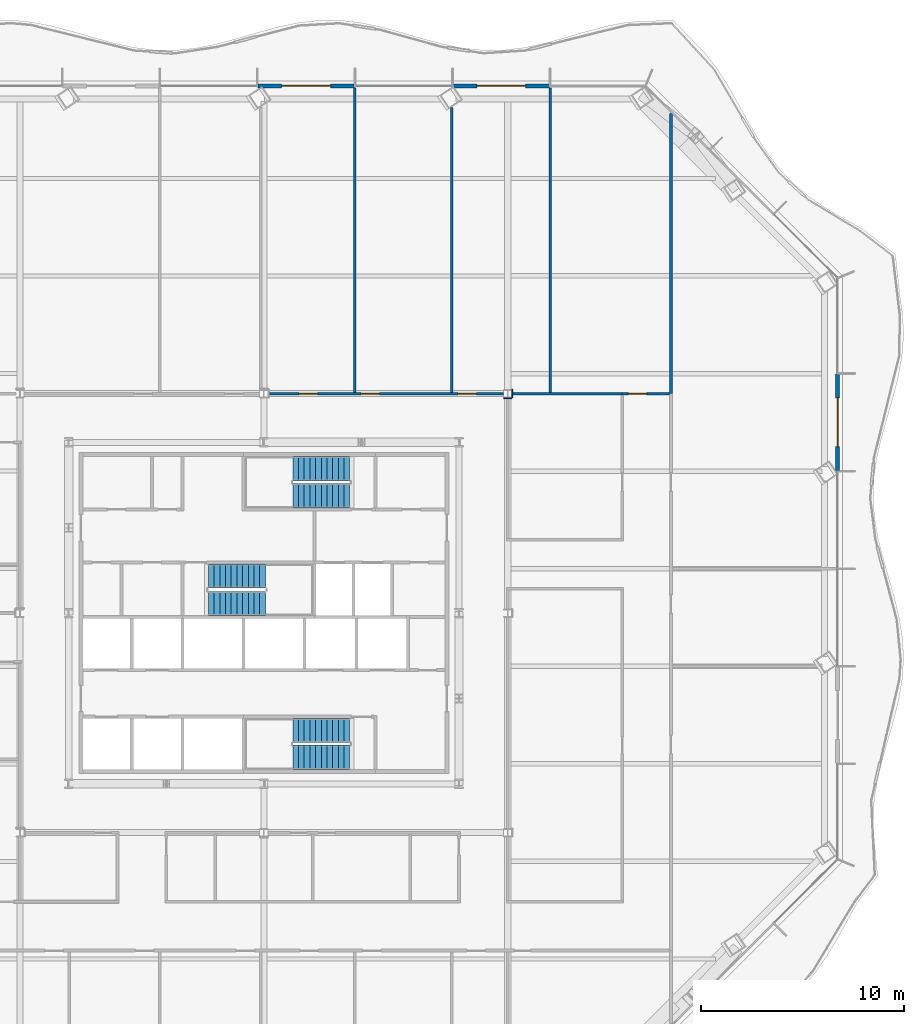
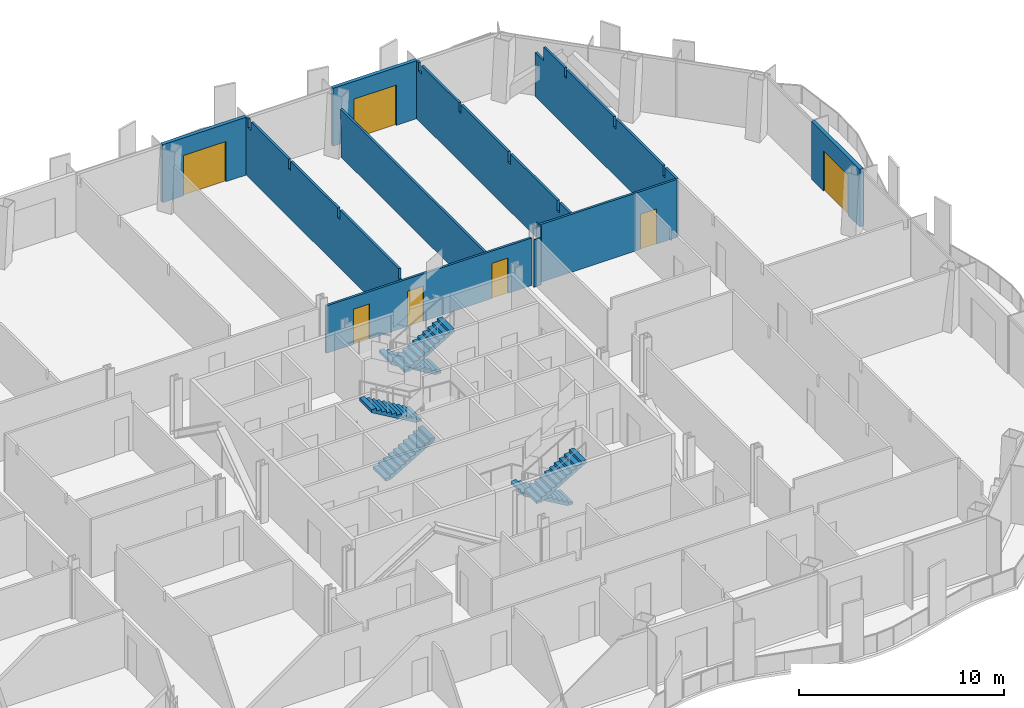
# One storey, part 13 of 22: 12 walls, 7 doors, 6 stair flights, 7 openings, 3 elements without a shape of their own.
"""IFC4 building model written with IfcOpenShell, lengths in metres."""

from ifc_helpers import new_model, si_unit, direction, frame, frame_2d, origin, place, context, subcontext, project, spatial, polyline, rectangle, outline, extrude, material, layer, layer_set, type_object, element, fill, aggregate, save


model = new_model("IFC4")

# Units and contexts
model_context = context("Model", 3, precision=1e-05, world=origin(), true_north=direction((0.0, 1.0)))
body_context = subcontext(model_context, "Body", "Model", "MODEL_VIEW")
ifc_project = project(units=[si_unit("LENGTHUNIT", "METRE"), si_unit("AREAUNIT", "SQUARE_METRE"), si_unit("VOLUMEUNIT", "CUBIC_METRE"), si_unit("PLANEANGLEUNIT", "RADIAN"), si_unit("MASSUNIT", "GRAM", prefix="KILO")], contexts=[model_context])

# Site, building, storey
site_placement = place(None, origin())
site = spatial("IfcSite", under=ifc_project, at=site_placement, CompositionType="ELEMENT")
building_placement = place(site_placement, origin())
building = spatial("IfcBuilding", under=site, at=building_placement, Name="Cairn Pilgrim Tower", CompositionType="ELEMENT")
storey_placement = place(building_placement, frame((0.0, 0.0, 112.199951171875)))
storey = spatial("IfcBuildingStorey", under=building, at=storey_placement, Name="L27", CompositionType="ELEMENT", Elevation=112.199951171875)

# Wall, opening, door
ifc_material_1 = material(Name="Bronze anodised aluminium insulated sandwich panel with mineral wool fill", Category="aluminium")
ifc_layer_1 = layer(ifc_material_1, 0.199951171875)
ifc_layer_set_1 = layer_set([ifc_layer_1], Name="BRONZE INFILL FRAME WALL 200")
wall_type_1 = type_object("IfcWallType", Name="BRONZE INFILL FRAME WALL 200", PredefinedType="NOTDEFINED", material=ifc_layer_set_1)
wall_1_placement = place(storey_placement, frame((35.429443359375, 9.416259765625, 0.0), z_axis=(0.0, 0.0, 1.0), x_axis=(0.0, 1.0, 0.0)))
wall_1 = element("IfcWall", 1, at=wall_1_placement, inside=storey, type_object=wall_type_1, Name="Bronze infill frame wall IW-E5", PredefinedType="NOTDEFINED", context=body_context, shape_type="SweptSolid", body=[
    extrude(rectangle(XDim=4.739990234375, YDim=0.199951171875, at=frame_2d((2.3701171875, 0.0))), origin(), (0.0, 0.0, 1.0), 3.449951171875),
])
opening_1_placement = place(wall_1_placement, frame((1.169677734375, 0.0, 0.0)))
opening_1 = element("IfcOpeningElement", 2, at=opening_1_placement, cuts=wall_1, Name="Opening 2726B", PredefinedType="OPENING", context=body_context, shape_type="SweptSolid", body=[
    extrude(rectangle(XDim=2.39990234375, YDim=2.39990234375, at=frame_2d((1.199951171875, 1.199951171875))), frame((0.0, 0.10986328125, 0.0), z_axis=(0.0, -1.0, 0.0), x_axis=(1.0, 0.0, 0.0)), (0.0, 0.0, 1.0), 0.219970703125),
])
ifc_material_2 = material(Name="Bronze anodised aluminium frame with tinted low-E glass", Category="aluminium")
door_type_1 = type_object("IfcDoorType", Name="BALCONY SLIDING DOOR 2400x2400", OperationType="DOUBLE_DOOR_SLIDING", PredefinedType="DOOR", material=ifc_material_2)
door_1_placement = place(opening_1_placement, origin())
door_1 = element("IfcDoor", 3, at=door_1_placement, inside=storey, type_object=door_type_1, Name="Balcony sliding door 2726B", OperationType="SINGLE_SWING_LEFT", OverallHeight=2.39990234375, OverallWidth=2.39990234375, PredefinedType="DOOR", context=body_context, shape_type="SweptSolid", body=[
    extrude(rectangle(XDim=2.39990234375, YDim=2.39990234375, at=frame_2d((1.199951171875, 1.199951171875))), frame((0.0, 0.02490234375, 0.0), z_axis=(0.0, -1.0, 0.0), x_axis=(1.0, 0.0, 0.0)), (0.0, 0.0, 1.0), 0.050048828125),
])
fill(opening_1, door_1)

wall_2_placement = place(storey_placement, frame((21.24951171875, 28.33642578125, 0.0), z_axis=(0.0, 0.0, 1.0), x_axis=(-1.0, 0.0, 0.0)))
wall_2 = element("IfcWall", 4, at=wall_2_placement, inside=storey, type_object=wall_type_1, Name="Bronze infill frame wall IW-N2", PredefinedType="NOTDEFINED", context=body_context, shape_type="SweptSolid", body=[
    extrude(rectangle(XDim=4.739990234375, YDim=0.199951171875, at=frame_2d((2.3701171875, 0.0))), origin(), (0.0, 0.0, 1.0), 3.449951171875),
])
opening_2_placement = place(wall_2_placement, frame((1.16943359375, 0.0, 0.0)))
opening_2 = element("IfcOpeningElement", 5, at=opening_2_placement, cuts=wall_2, Name="Opening 2722B", PredefinedType="OPENING", context=body_context, shape_type="SweptSolid", body=[
    extrude(rectangle(XDim=2.39990234375, YDim=2.39990234375, at=frame_2d((1.199951171875, 1.199951171875))), frame((0.0, 0.10986328125, 0.0), z_axis=(0.0, -1.0, 0.0), x_axis=(1.0, 0.0, 0.0)), (0.0, 0.0, 1.0), 0.219970703125),
])
door_2_placement = place(opening_2_placement, origin())
door_2 = element("IfcDoor", 6, at=door_2_placement, inside=storey, type_object=door_type_1, Name="Balcony sliding door 2722B", OperationType="SINGLE_SWING_LEFT", OverallHeight=2.39990234375, OverallWidth=2.39990234375, PredefinedType="DOOR", context=body_context, shape_type="SweptSolid", body=[
    extrude(rectangle(XDim=2.39990234375, YDim=2.39990234375, at=frame_2d((1.199951171875, 1.199951171875))), frame((0.0, 0.02490234375, 0.0), z_axis=(0.0, -1.0, 0.0), x_axis=(1.0, 0.0, 0.0)), (0.0, 0.0, 1.0), 0.050048828125),
])
fill(opening_2, door_2)

wall_3_placement = place(storey_placement, frame((11.6494140625, 28.33642578125, 0.0), z_axis=(0.0, 0.0, 1.0), x_axis=(-1.0, 0.0, 0.0)))
wall_3 = element("IfcWall", 7, at=wall_3_placement, inside=storey, type_object=wall_type_1, Name="Bronze infill frame wall IW-N4", PredefinedType="NOTDEFINED", context=body_context, shape_type="SweptSolid", body=[
    extrude(rectangle(XDim=4.739990234375, YDim=0.199951171875, at=frame_2d((2.3701171875, 0.0))), origin(), (0.0, 0.0, 1.0), 3.449951171875),
])
opening_3_placement = place(wall_3_placement, frame((1.16943359375, 0.0, 0.0)))
opening_3 = element("IfcOpeningElement", 8, at=opening_3_placement, cuts=wall_3, Name="Opening 2720B", PredefinedType="OPENING", context=body_context, shape_type="SweptSolid", body=[
    extrude(rectangle(XDim=2.39990234375, YDim=2.39990234375, at=frame_2d((1.199951171875, 1.199951171875))), frame((0.0, 0.10986328125, 0.0), z_axis=(0.0, -1.0, 0.0), x_axis=(1.0, 0.0, 0.0)), (0.0, 0.0, 1.0), 0.219970703125),
])
door_3_placement = place(opening_3_placement, origin())
door_3 = element("IfcDoor", 9, at=door_3_placement, inside=storey, type_object=door_type_1, Name="Balcony sliding door 2720B", OperationType="SINGLE_SWING_LEFT", OverallHeight=2.39990234375, OverallWidth=2.39990234375, PredefinedType="DOOR", context=body_context, shape_type="SweptSolid", body=[
    extrude(rectangle(XDim=2.39990234375, YDim=2.39990234375, at=frame_2d((1.199951171875, 1.199951171875))), frame((0.0, 0.02490234375, 0.0), z_axis=(0.0, -1.0, 0.0), x_axis=(1.0, 0.0, 0.0)), (0.0, 0.0, 1.0), 0.050048828125),
])
fill(opening_3, door_3)

# Wall, openings, doors
ifc_material_3 = material(Name="Gypsum partition")
ifc_layer_2 = layer(ifc_material_3, 0.125)
ifc_layer_set_2 = layer_set([ifc_layer_2], Name="PARTITION 125 DRYWALL EI 60")
wall_type_2 = type_object("IfcWallType", Name="PARTITION 125 DRYWALL EI 60", PredefinedType="PARTITIONING", material=ifc_layer_set_2)
wall_4_placement = place(storey_placement, frame((7.404541015625, 13.199951171875, 0.0), z_axis=(0.0, 0.0, 1.0), x_axis=(1.0, 0.0, 0.0)))
wall_4 = element("IfcWall", 10, at=wall_4_placement, inside=storey, type_object=wall_type_2, Name="PARTITION W061", PredefinedType="PARTITIONING", context=body_context, shape_type="SweptSolid", body=[
    extrude(rectangle(XDim=11.591064453125, YDim=0.125, at=frame_2d((5.79541015625, 0.0))), origin(), (0.0, 0.0, 1.0), 2.830078125),
])
opening_4_placement = place(wall_4_placement, frame((1.535400390625, 0.0, 0.0)))
opening_4 = element("IfcOpeningElement", 11, at=opening_4_placement, cuts=wall_4, Name="Opening 2720", PredefinedType="OPENING", context=body_context, shape_type="SweptSolid", body=[
    extrude(rectangle(XDim=0.89990234375, YDim=2.10009765625, at=frame_2d((0.449951171875, 1.050048828125))), frame((0.0, 0.072509765625, 0.0), z_axis=(0.0, -1.0, 0.0), x_axis=(1.0, 0.0, 0.0)), (0.0, 0.0, 1.0), 0.14501953125),
])
opening_5_placement = place(wall_4_placement, frame((4.575439453125, 0.0, 0.0)))
opening_5 = element("IfcOpeningElement", 12, at=opening_5_placement, cuts=wall_4, Name="Opening 2721", PredefinedType="OPENING", context=body_context, shape_type="SweptSolid", body=[
    extrude(rectangle(XDim=0.89990234375, YDim=2.10009765625, at=frame_2d((0.449951171875, 1.050048828125))), frame((0.0, 0.072509765625, 0.0), z_axis=(0.0, -1.0, 0.0), x_axis=(1.0, 0.0, 0.0)), (0.0, 0.0, 1.0), 0.14501953125),
])
opening_6_placement = place(wall_4_placement, frame((9.348388671875, 0.0, 0.0)))
opening_6 = element("IfcOpeningElement", 13, at=opening_6_placement, cuts=wall_4, Name="Opening 2722", PredefinedType="OPENING", context=body_context, shape_type="SweptSolid", body=[
    extrude(rectangle(XDim=0.89990234375, YDim=2.10009765625, at=frame_2d((0.449951171875, 1.050048828125))), frame((0.0, 0.072509765625, 0.0), z_axis=(0.0, -1.0, 0.0), x_axis=(1.0, 0.0, 0.0)), (0.0, 0.0, 1.0), 0.14501953125),
])
ifc_material_4 = material(Name="Steel-faced fire door leaf", Category="steel")
door_type_2 = type_object("IfcDoorType", Name="FIRE DOOR 900x2100 FD30S", OperationType="NOTDEFINED", PredefinedType="DOOR", material=ifc_material_4)
door_4_placement = place(opening_4_placement, origin())
door_4 = element("IfcDoor", 14, at=door_4_placement, inside=storey, type_object=door_type_2, Name="DOOR 2720", OperationType="SINGLE_SWING_LEFT", OverallHeight=2.10009765625, OverallWidth=0.89990234375, PredefinedType="DOOR", context=body_context, shape_type="SweptSolid", body=[
    extrude(rectangle(XDim=0.89990234375, YDim=2.10009765625, at=frame_2d((0.449951171875, 1.050048828125))), frame((0.0, 0.02490234375, 0.0), z_axis=(0.0, -1.0, 0.0), x_axis=(1.0, 0.0, 0.0)), (0.0, 0.0, 1.0), 0.050048828125),
])
fill(opening_4, door_4)
door_5_placement = place(opening_5_placement, origin())
door_5 = element("IfcDoor", 15, at=door_5_placement, inside=storey, type_object=door_type_2, Name="DOOR 2721", OperationType="SINGLE_SWING_RIGHT", OverallHeight=2.10009765625, OverallWidth=0.89990234375, PredefinedType="DOOR", context=body_context, shape_type="SweptSolid", body=[
    extrude(rectangle(XDim=0.89990234375, YDim=2.10009765625, at=frame_2d((0.449951171875, 1.050048828125))), frame((0.0, 0.02490234375, 0.0), z_axis=(0.0, -1.0, 0.0), x_axis=(1.0, 0.0, 0.0)), (0.0, 0.0, 1.0), 0.050048828125),
])
fill(opening_5, door_5)
door_6_placement = place(opening_6_placement, origin())
door_6 = element("IfcDoor", 16, at=door_6_placement, inside=storey, type_object=door_type_2, Name="DOOR 2722", OperationType="SINGLE_SWING_LEFT", OverallHeight=2.10009765625, OverallWidth=0.89990234375, PredefinedType="DOOR", context=body_context, shape_type="SweptSolid", body=[
    extrude(rectangle(XDim=0.89990234375, YDim=2.10009765625, at=frame_2d((0.449951171875, 1.050048828125))), frame((0.0, 0.02490234375, 0.0), z_axis=(0.0, -1.0, 0.0), x_axis=(1.0, 0.0, 0.0)), (0.0, 0.0, 1.0), 0.050048828125),
])
fill(opening_6, door_6)

# Wall
wall_5_placement = place(storey_placement, frame((19.404541015625, 13.199951171875, 0.0), z_axis=(0.0, 0.0, 1.0), x_axis=(1.0, 0.0, 0.0)))
element("IfcWall", 17, at=wall_5_placement, inside=storey, type_object=wall_type_2, Name="PARTITION W062", PredefinedType="PARTITIONING", context=body_context, shape_type="SweptSolid", body=[
    extrude(rectangle(XDim=5.425537109375, YDim=0.125, at=frame_2d((2.712890625, 0.0))), origin(), (0.0, 0.0, 1.0), 3.449951171875),
])

# Wall, opening, door
wall_6_placement = place(storey_placement, frame((24.830078125, 13.199951171875, 0.0), z_axis=(0.0, 0.0, 1.0), x_axis=(1.0, 0.0, 0.0)))
wall_6 = element("IfcWall", 18, at=wall_6_placement, inside=storey, type_object=wall_type_2, Name="PARTITION W063", PredefinedType="PARTITIONING", context=body_context, shape_type="SweptSolid", body=[
    extrude(rectangle(XDim=2.33740234375, YDim=0.125, at=frame_2d((1.168701171875, 0.0))), origin(), (0.0, 0.0, 1.0), 3.449951171875),
])
opening_7_placement = place(wall_6_placement, frame((0.300048828125, 0.0, 0.0)))
opening_7 = element("IfcOpeningElement", 19, at=opening_7_placement, cuts=wall_6, Name="Opening 2723", PredefinedType="OPENING", context=body_context, shape_type="SweptSolid", body=[
    extrude(rectangle(XDim=0.89990234375, YDim=2.10009765625, at=frame_2d((0.449951171875, 1.050048828125))), frame((0.0, 0.072509765625, 0.0), z_axis=(0.0, -1.0, 0.0), x_axis=(1.0, 0.0, 0.0)), (0.0, 0.0, 1.0), 0.14501953125),
])
door_7_placement = place(opening_7_placement, origin())
door_7 = element("IfcDoor", 20, at=door_7_placement, inside=storey, type_object=door_type_2, Name="DOOR 2723", OperationType="SINGLE_SWING_RIGHT", OverallHeight=2.10009765625, OverallWidth=0.89990234375, PredefinedType="DOOR", context=body_context, shape_type="SweptSolid", body=[
    extrude(rectangle(XDim=0.89990234375, YDim=2.10009765625, at=frame_2d((0.449951171875, 1.050048828125))), frame((0.0, 0.02490234375, 0.0), z_axis=(0.0, -1.0, 0.0), x_axis=(1.0, 0.0, 0.0)), (0.0, 0.0, 1.0), 0.050048828125),
])
fill(opening_7, door_7)

# Walls
wall_7_placement = place(storey_placement, frame((27.22998046875, 13.199951171875, 0.0), z_axis=(0.0, 0.0, 1.0), x_axis=(0.0, 1.0, 0.0)))
element("IfcWall", 21, at=wall_7_placement, inside=storey, type_object=wall_type_2, Name="PARTITION W064", PredefinedType="PARTITIONING", context=body_context, shape_type="SweptSolid", body=[
    extrude(outline(polyline([(0.0, 0.0), (13.7744140625, 0.0), (13.7744140625, 2.630126953125), (12.939697265625, 2.630126953125), (12.937744140625, 3.449951171875), (10.89990234375, 3.449951171875), (10.89794921875, 2.929931640625), (10.699951171875, 2.929931640625), (10.697998046875, 3.449951171875), (6.110107421875, 3.449951171875), (6.10791015625, 2.830078125), (5.889892578125, 2.830078125), (5.887939453125, 3.449951171875), (1.31005859375, 3.449951171875), (1.30810546875, 2.830078125), (1.090087890625, 2.830078125), (1.087890625, 3.449951171875), (0.0, 3.449951171875), (0.0, 0.0)])), frame((0.0, 0.0625, 0.0), z_axis=(0.0, -1.0, 0.0), x_axis=(1.0, 0.0, 0.0)), (0.0, 0.0, 1.0), 0.125),
])
wall_8_placement = place(storey_placement, frame((11.679931640625, 13.262451171875, 0.0), z_axis=(0.0, 0.0, 1.0), x_axis=(0.0, 1.0, 0.0)))
element("IfcWall", 22, at=wall_8_placement, inside=storey, type_object=wall_type_2, Name="PARTITION W068", PredefinedType="PARTITIONING", context=body_context, shape_type="SweptSolid", body=[
    extrude(outline(polyline([(0.0, 0.0), (14.973876953125, 0.0), (14.973876953125, 3.449951171875), (14.78759765625, 3.449951171875), (14.785400390625, 2.929931640625), (14.487548828125, 2.929931640625), (14.485595703125, 3.449951171875), (10.842529296875, 3.449951171875), (10.840576171875, 2.880126953125), (10.632568359375, 2.880126953125), (10.630615234375, 3.449951171875), (6.04248046875, 3.449951171875), (6.04052734375, 2.880126953125), (5.83251953125, 2.880126953125), (5.83056640625, 3.449951171875), (0.08740234375, 3.449951171875), (0.08544921875, 2.830078125), (0.0, 2.830078125), (0.0, 0.0)])), frame((0.0, 0.0625, 0.0), z_axis=(0.0, -1.0, 0.0), x_axis=(1.0, 0.0, 0.0)), (0.0, 0.0, 1.0), 0.125),
])
wall_9_placement = place(storey_placement, frame((16.452880859375, 13.262451171875, 0.0), z_axis=(0.0, 0.0, 1.0), x_axis=(0.0, 1.0, 0.0)))
element("IfcWall", 23, at=wall_9_placement, inside=storey, type_object=wall_type_2, Name="PARTITION W069", PredefinedType="PARTITIONING", context=body_context, shape_type="SweptSolid", body=[
    extrude(outline(polyline([(0.0, 0.0), (14.008056640625, 0.0), (14.008056640625, 0.862548828125), (14.008056640625, 1.72509765625), (14.0302734375, 2.587646484375), (14.044677734375, 2.830078125), (0.0, 2.830078125), (0.0, 2.587646484375), (0.0, 1.72509765625), (0.0, 0.862548828125), (0.0, 0.0)])), frame((0.0, 0.0625, 0.0), z_axis=(0.0, -1.0, 0.0), x_axis=(1.0, 0.0, 0.0)), (0.0, 0.0, 1.0), 0.125),
])
wall_10_placement = place(storey_placement, frame((21.280029296875, 13.262451171875, 0.0), z_axis=(0.0, 0.0, 1.0), x_axis=(0.0, 1.0, 0.0)))
element("IfcWall", 24, at=wall_10_placement, inside=storey, type_object=wall_type_2, Name="PARTITION W070", PredefinedType="PARTITIONING", context=body_context, shape_type="SweptSolid", body=[
    extrude(outline(polyline([(0.0, 0.0), (14.973876953125, 0.0), (14.973876953125, 3.449951171875), (14.78759765625, 3.449951171875), (14.785400390625, 2.929931640625), (14.487548828125, 2.929931640625), (14.485595703125, 3.449951171875), (10.83740234375, 3.449951171875), (10.83544921875, 2.929931640625), (10.637451171875, 2.929931640625), (10.635498046875, 3.449951171875), (6.047607421875, 3.449951171875), (6.04541015625, 2.830078125), (5.827392578125, 2.830078125), (5.825439453125, 3.449951171875), (1.24755859375, 3.449951171875), (1.24560546875, 2.830078125), (1.027587890625, 2.830078125), (1.025390625, 3.449951171875), (0.0, 3.449951171875), (0.0, 0.0)])), frame((0.0, 0.0625, 0.0), z_axis=(0.0, -1.0, 0.0), x_axis=(1.0, 0.0, 0.0)), (0.0, 0.0, 1.0), 0.125),
])
ifc_layer_3 = layer(ifc_material_3, 0.050048828125)
ifc_layer_set_3 = layer_set([ifc_layer_3], Name="PARTITION 50 DRYWALL EI 60")
wall_type_3 = type_object("IfcWallType", Name="PARTITION 50 DRYWALL EI 60", PredefinedType="PARTITIONING", material=ifc_layer_set_3)
wall_11_placement = place(storey_placement, frame((19.429443359375, 12.987548828125, 0.0), z_axis=(0.0, 0.0, 1.0), x_axis=(0.0, 1.0, 0.0)))
element("IfcWall", 25, at=wall_11_placement, inside=storey, type_object=wall_type_3, Name="COLUMN CASING WC13", PredefinedType="PARTITIONING", context=body_context, shape_type="SweptSolid", body=[
    extrude(rectangle(XDim=0.425048828125, YDim=0.050048828125, at=frame_2d((0.21240234375, 0.0))), origin(), (0.0, 0.0, 1.0), 3.449951171875),
])
wall_12_placement = place(storey_placement, frame((18.99560546875, 12.96240234375, 0.0), z_axis=(0.0, 0.0, 1.0), x_axis=(1.0, 0.0, 0.0)))
element("IfcWall", 26, at=wall_12_placement, inside=storey, type_object=wall_type_3, Name="COLUMN CASING WC17", PredefinedType="PARTITIONING", context=body_context, shape_type="SweptSolid", body=[
    extrude(rectangle(XDim=0.408935546875, YDim=0.050048828125, at=frame_2d((0.20458984375, 0.0))), origin(), (0.0, 0.0, 1.0), 2.830078125),
])

# Stair, stair flights
ifc_material_5 = material(Name="Concrete C32/40", Category="concrete")
stair_type = type_object("IfcStairType", Name="EXIT STAIR 1200", PredefinedType="HALF_TURN_STAIR", material=ifc_material_5)
stair_1_placement = place(storey_placement, origin())
stair_1 = element("IfcStair", 27, at=stair_1_placement, inside=storey, type_object=stair_type, Name="L27 Exit Stair A", PredefinedType="HALF_TURN_STAIR")
stair_flight_type = type_object("IfcStairFlightType", Name="STAIR FLIGHT 1200", PredefinedType="STRAIGHT", material=ifc_material_5)
stair_flight_1_placement = place(storey_placement, frame((11.425048828125, -3.375, 0.0), z_axis=(0.0, 0.0, 1.0), x_axis=(-1.0, 0.0, 0.0)))
stair_flight_1 = element("IfcStairFlight", 28, at=stair_flight_1_placement, type_object=stair_flight_type, Name="ST-A flight 1", NumberOfRisers=11, NumberOfTreads=10, PredefinedType="STRAIGHT", RiserHeight=0.163636364, TreadLength=0.28, context=body_context, shape_type="SweptSolid", body=[
    extrude(outline(polyline([(0.0, 0.0), (0.0, 0.16357421875), (0.280029296875, 0.16357421875), (0.280029296875, 0.327392578125), (0.56005859375, 0.327392578125), (0.56005859375, 0.490966796875), (0.840087890625, 0.490966796875), (0.840087890625, 0.654541015625), (1.1201171875, 0.654541015625), (1.1201171875, 0.818115234375), (1.39990234375, 0.818115234375), (1.39990234375, 0.98193359375), (1.679931640625, 0.98193359375), (1.679931640625, 1.1455078125), (1.9599609375, 1.1455078125), (1.9599609375, 1.30908203125), (2.239990234375, 1.30908203125), (2.239990234375, 1.47265625), (2.52001953125, 1.47265625), (2.52001953125, 1.636474609375), (2.800048828125, 1.636474609375), (2.800048828125, 1.800048828125), (2.800048828125, 1.462646484375), (0.297119140625, 0.0), (0.0, 0.0)])), frame((0.0, 0.60009765625, 0.0), z_axis=(0.0, -1.0, 0.0), x_axis=(1.0, 0.0, 0.0)), (0.0, 0.0, 1.0), 1.199951171875),
])
stair_flight_2_placement = place(storey_placement, frame((8.625, -4.699951171875, 1.800048828125), z_axis=(0.0, 0.0, 1.0), x_axis=(1.0, 0.0, 0.0)))
stair_flight_2 = element("IfcStairFlight", 29, at=stair_flight_2_placement, type_object=stair_flight_type, Name="ST-A flight 2", NumberOfRisers=11, NumberOfTreads=10, PredefinedType="STRAIGHT", RiserHeight=0.163636364, TreadLength=0.28, context=body_context, shape_type="SweptSolid", body=[
    extrude(outline(polyline([(0.0, 0.0), (0.0, 0.16357421875), (0.280029296875, 0.16357421875), (0.280029296875, 0.327392578125), (0.56005859375, 0.327392578125), (0.56005859375, 0.490966796875), (0.840087890625, 0.490966796875), (0.840087890625, 0.654541015625), (1.1201171875, 0.654541015625), (1.1201171875, 0.818115234375), (1.39990234375, 0.818115234375), (1.39990234375, 0.98193359375), (1.679931640625, 0.98193359375), (1.679931640625, 1.1455078125), (1.9599609375, 1.1455078125), (1.9599609375, 1.30908203125), (2.239990234375, 1.30908203125), (2.239990234375, 1.47265625), (2.52001953125, 1.47265625), (2.52001953125, 1.636474609375), (2.800048828125, 1.636474609375), (2.800048828125, 1.800048828125), (2.800048828125, 1.462646484375), (0.297119140625, 0.0), (0.0, 0.0)])), frame((0.0, 0.60009765625, 0.0), z_axis=(0.0, -1.0, 0.0), x_axis=(1.0, 0.0, 0.0)), (0.0, 0.0, 1.0), 1.199951171875),
])
aggregate(stair_1, [stair_flight_1, stair_flight_2])

stair_2_placement = place(storey_placement, origin())
stair_2 = element("IfcStair", 30, at=stair_2_placement, inside=storey, type_object=stair_type, Name="L27 Exit Stair B", PredefinedType="HALF_TURN_STAIR")
stair_flight_3_placement = place(storey_placement, frame((4.47509765625, 2.875, 0.0), z_axis=(0.0, 0.0, 1.0), x_axis=(1.0, 0.0, 0.0)))
stair_flight_3 = element("IfcStairFlight", 31, at=stair_flight_3_placement, type_object=stair_flight_type, Name="ST-B flight 1", NumberOfRisers=11, NumberOfTreads=10, PredefinedType="STRAIGHT", RiserHeight=0.163636364, TreadLength=0.28, context=body_context, shape_type="SweptSolid", body=[
    extrude(outline(polyline([(0.0, 0.0), (0.0, 0.16357421875), (0.280029296875, 0.16357421875), (0.280029296875, 0.327392578125), (0.56005859375, 0.327392578125), (0.56005859375, 0.490966796875), (0.840087890625, 0.490966796875), (0.840087890625, 0.654541015625), (1.1201171875, 0.654541015625), (1.1201171875, 0.818115234375), (1.39990234375, 0.818115234375), (1.39990234375, 0.98193359375), (1.679931640625, 0.98193359375), (1.679931640625, 1.1455078125), (1.9599609375, 1.1455078125), (1.9599609375, 1.30908203125), (2.239990234375, 1.30908203125), (2.239990234375, 1.47265625), (2.52001953125, 1.47265625), (2.52001953125, 1.636474609375), (2.800048828125, 1.636474609375), (2.800048828125, 1.800048828125), (2.800048828125, 1.462646484375), (0.297119140625, 0.0), (0.0, 0.0)])), frame((0.0, 0.60009765625, 0.0), z_axis=(0.0, -1.0, 0.0), x_axis=(1.0, 0.0, 0.0)), (0.0, 0.0, 1.0), 1.199951171875),
])
stair_flight_4_placement = place(storey_placement, frame((7.27490234375, 4.22509765625, 1.800048828125), z_axis=(0.0, 0.0, 1.0), x_axis=(-1.0, 0.0, 0.0)))
stair_flight_4 = element("IfcStairFlight", 32, at=stair_flight_4_placement, type_object=stair_flight_type, Name="ST-B flight 2", NumberOfRisers=11, NumberOfTreads=10, PredefinedType="STRAIGHT", RiserHeight=0.163636364, TreadLength=0.28, context=body_context, shape_type="SweptSolid", body=[
    extrude(outline(polyline([(0.0, 0.0), (0.0, 0.16357421875), (0.280029296875, 0.16357421875), (0.280029296875, 0.327392578125), (0.56005859375, 0.327392578125), (0.56005859375, 0.490966796875), (0.840087890625, 0.490966796875), (0.840087890625, 0.654541015625), (1.1201171875, 0.654541015625), (1.1201171875, 0.818115234375), (1.39990234375, 0.818115234375), (1.39990234375, 0.98193359375), (1.679931640625, 0.98193359375), (1.679931640625, 1.1455078125), (1.9599609375, 1.1455078125), (1.9599609375, 1.30908203125), (2.239990234375, 1.30908203125), (2.239990234375, 1.47265625), (2.52001953125, 1.47265625), (2.52001953125, 1.636474609375), (2.800048828125, 1.636474609375), (2.800048828125, 1.800048828125), (2.800048828125, 1.462646484375), (0.297119140625, 0.0), (0.0, 0.0)])), frame((0.0, 0.60009765625, 0.0), z_axis=(0.0, -1.0, 0.0), x_axis=(1.0, 0.0, 0.0)), (0.0, 0.0, 1.0), 1.199951171875),
])
aggregate(stair_2, [stair_flight_3, stair_flight_4])

stair_3_placement = place(storey_placement, origin())
stair_3 = element("IfcStair", 33, at=stair_3_placement, inside=storey, type_object=stair_type, Name="L27 Exit Stair C", PredefinedType="HALF_TURN_STAIR")
stair_flight_5_placement = place(storey_placement, frame((11.425048828125, 9.5, 0.0), z_axis=(0.0, 0.0, 1.0), x_axis=(-1.0, 0.0, 0.0)))
stair_flight_5 = element("IfcStairFlight", 34, at=stair_flight_5_placement, type_object=stair_flight_type, Name="ST-C flight 1", NumberOfRisers=11, NumberOfTreads=10, PredefinedType="STRAIGHT", RiserHeight=0.163636364, TreadLength=0.28, context=body_context, shape_type="SweptSolid", body=[
    extrude(outline(polyline([(0.0, 0.0), (0.0, 0.16357421875), (0.280029296875, 0.16357421875), (0.280029296875, 0.327392578125), (0.56005859375, 0.327392578125), (0.56005859375, 0.490966796875), (0.840087890625, 0.490966796875), (0.840087890625, 0.654541015625), (1.1201171875, 0.654541015625), (1.1201171875, 0.818115234375), (1.39990234375, 0.818115234375), (1.39990234375, 0.98193359375), (1.679931640625, 0.98193359375), (1.679931640625, 1.1455078125), (1.9599609375, 1.1455078125), (1.9599609375, 1.30908203125), (2.239990234375, 1.30908203125), (2.239990234375, 1.47265625), (2.52001953125, 1.47265625), (2.52001953125, 1.636474609375), (2.800048828125, 1.636474609375), (2.800048828125, 1.800048828125), (2.800048828125, 1.462646484375), (0.297119140625, 0.0), (0.0, 0.0)])), frame((0.0, 0.60009765625, 0.0), z_axis=(0.0, -1.0, 0.0), x_axis=(1.0, 0.0, 0.0)), (0.0, 0.0, 1.0), 1.199951171875),
])
stair_flight_6_placement = place(storey_placement, frame((8.625, 8.175048828125, 1.800048828125), z_axis=(0.0, 0.0, 1.0), x_axis=(1.0, 0.0, 0.0)))
stair_flight_6 = element("IfcStairFlight", 35, at=stair_flight_6_placement, type_object=stair_flight_type, Name="ST-C flight 2", NumberOfRisers=11, NumberOfTreads=10, PredefinedType="STRAIGHT", RiserHeight=0.163636364, TreadLength=0.28, context=body_context, shape_type="SweptSolid", body=[
    extrude(outline(polyline([(0.0, 0.0), (0.0, 0.16357421875), (0.280029296875, 0.16357421875), (0.280029296875, 0.327392578125), (0.56005859375, 0.327392578125), (0.56005859375, 0.490966796875), (0.840087890625, 0.490966796875), (0.840087890625, 0.654541015625), (1.1201171875, 0.654541015625), (1.1201171875, 0.818115234375), (1.39990234375, 0.818115234375), (1.39990234375, 0.98193359375), (1.679931640625, 0.98193359375), (1.679931640625, 1.1455078125), (1.9599609375, 1.1455078125), (1.9599609375, 1.30908203125), (2.239990234375, 1.30908203125), (2.239990234375, 1.47265625), (2.52001953125, 1.47265625), (2.52001953125, 1.636474609375), (2.800048828125, 1.636474609375), (2.800048828125, 1.800048828125), (2.800048828125, 1.462646484375), (0.297119140625, 0.0), (0.0, 0.0)])), frame((0.0, 0.60009765625, 0.0), z_axis=(0.0, -1.0, 0.0), x_axis=(1.0, 0.0, 0.0)), (0.0, 0.0, 1.0), 1.199951171875),
])
aggregate(stair_3, [stair_flight_5, stair_flight_6])

save(model, "model.ifc")
